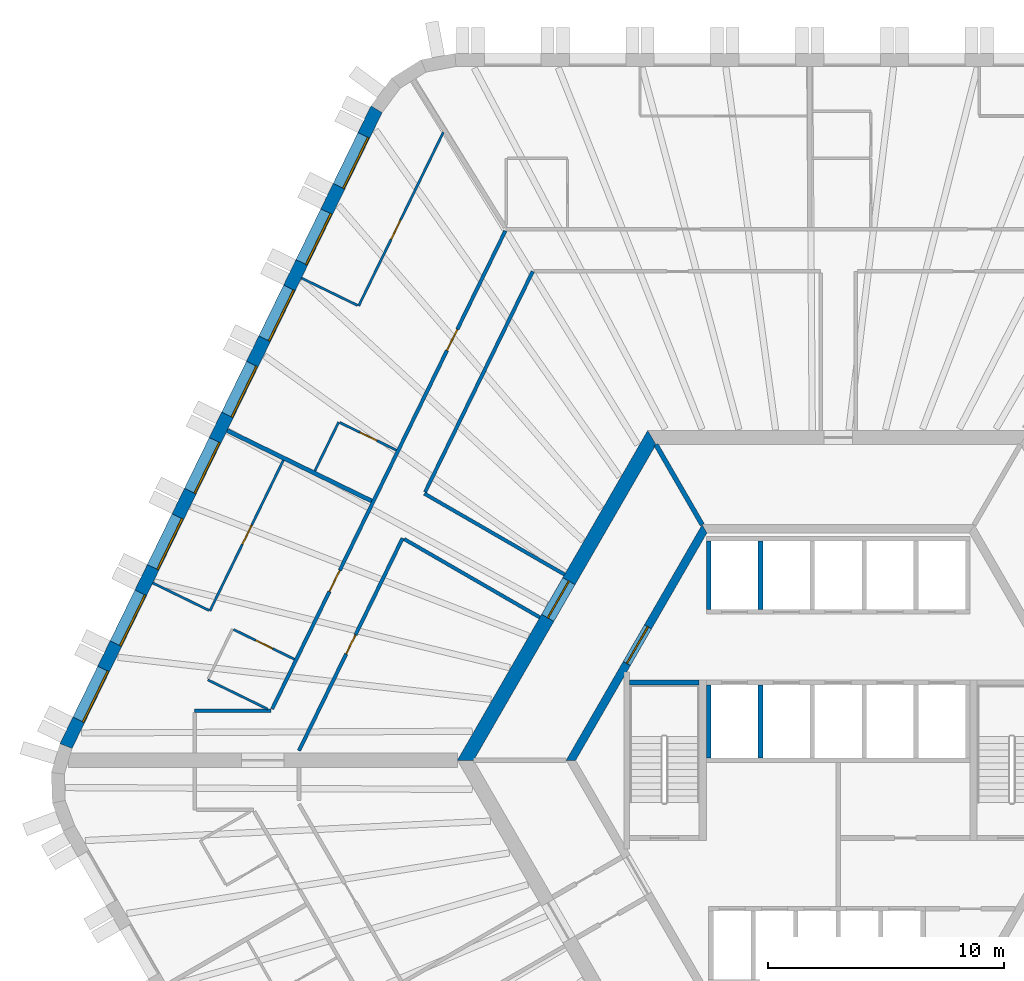
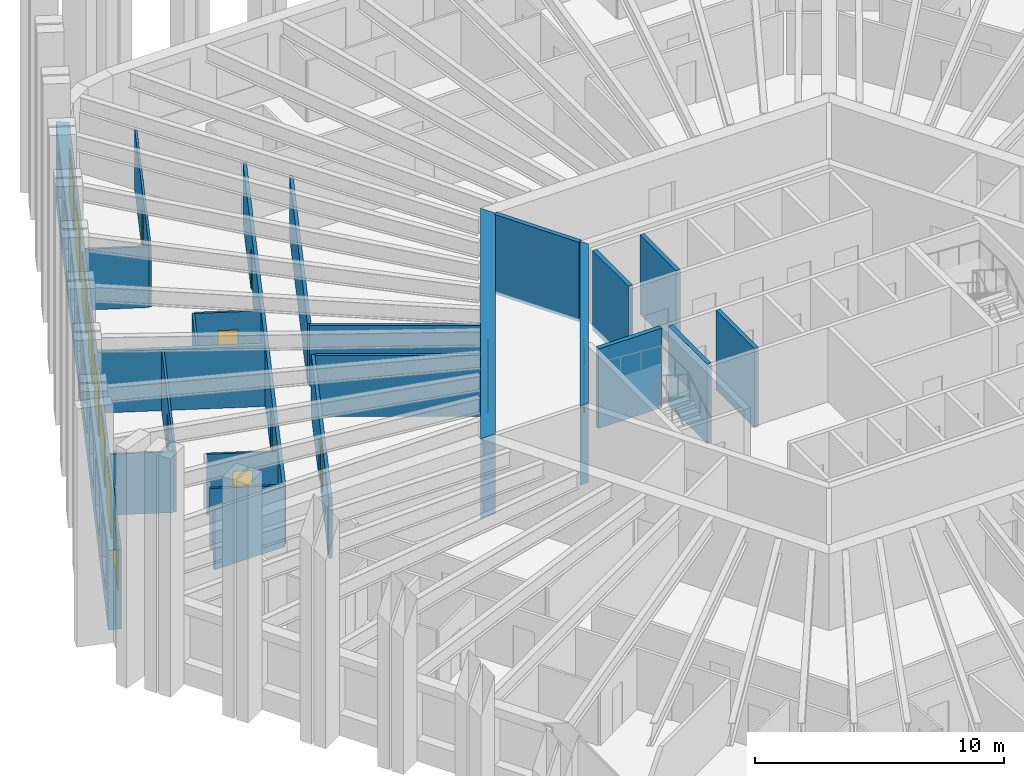
# One storey, part 7 of 12: 24 walls, 9 doors, 8 windows, 17 openings.
"""IFC4 building model written with IfcOpenShell, lengths in metres."""

from ifc_helpers import new_model, si_unit, direction, frame, frame_2d, origin, place, context, subcontext, project, spatial, polyline, rectangle, outline, extrude, material, layer, layer_set, type_object, element, fill, save


model = new_model("IFC4")

# Units and contexts
model_context = context("Model", 3, precision=1e-05, world=origin(), true_north=direction((0.0, 1.0)))
body_context = subcontext(model_context, "Body", "Model", "MODEL_VIEW")
ifc_project = project(units=[si_unit("LENGTHUNIT", "METRE"), si_unit("AREAUNIT", "SQUARE_METRE"), si_unit("VOLUMEUNIT", "CUBIC_METRE"), si_unit("PLANEANGLEUNIT", "RADIAN"), si_unit("MASSUNIT", "GRAM", prefix="KILO")], contexts=[model_context])

# Site, building, storey
site_placement = place(None, origin())
site = spatial("IfcSite", under=ifc_project, at=site_placement, CompositionType="ELEMENT")
building_placement = place(site_placement, origin())
building = spatial("IfcBuilding", under=site, at=building_placement, Name="Tarnside Tower", CompositionType="ELEMENT")
storey_placement = place(building_placement, frame((0.0, 0.0, 49.199951171875)))
storey = spatial("IfcBuildingStorey", under=building, at=storey_placement, Name="L09", CompositionType="ELEMENT", Elevation=49.199951171875)

# Wall
ifc_material_1 = material(Name="Gypsum board partition on steel studs", Category="steel")
ifc_layer_1 = layer(ifc_material_1, 0.10009765625)
ifc_layer_set_1 = layer_set([ifc_layer_1], Name="Bathroom wall 100")
wall_type_1 = type_object("IfcWallType", Name="Bathroom wall 100", PredefinedType="PARTITIONING", material=ifc_layer_set_1)
wall_1_placement = place(storey_placement, frame((-22.214111328125, 12.2822265625, 0.0), z_axis=(0.0, 0.0, 1.0), x_axis=(0.438398644313, 0.89878063434, 0.0)))
element("IfcWall", 1, at=wall_1_placement, inside=storey, type_object=wall_type_1, Name="Bathroom wall 02089", PredefinedType="PARTITIONING", context=body_context, shape_type="SweptSolid", body=[
    extrude(rectangle(XDim=2.31005859375, YDim=0.10009765625, at=frame_2d((1.155029296875, 0.0))), origin(), (0.0, 0.0, 1.0), 2.98779296875),
])

# Wall, opening, door
wall_2_placement = place(storey_placement, frame((-21.156494140625, 14.33642578125, 0.0), z_axis=(0.0, 0.0, 1.0), x_axis=(0.898800897694, -0.438357099068, 0.0)))
wall_2 = element("IfcWall", 2, at=wall_2_placement, inside=storey, type_object=wall_type_1, Name="Bathroom wall 02090", PredefinedType="PARTITIONING", context=body_context, shape_type="SweptSolid", body=[
    extrude(rectangle(XDim=2.675048828125, YDim=0.10009765625, at=frame_2d((1.33740234375, 0.0))), origin(), (0.0, 0.0, 1.0), 2.98779296875),
])
opening_1_placement = place(wall_2_placement, frame((0.949951171875, 0.0, 0.0)))
opening_1 = element("IfcOpeningElement", 3, at=opening_1_placement, cuts=wall_2, Name="Opening D-B1", PredefinedType="OPENING", context=body_context, shape_type="SweptSolid", body=[
    extrude(rectangle(XDim=0.800048828125, YDim=2.10009765625, at=frame_2d((0.39990234375, 1.050048828125))), frame((0.0, 0.06005859375, 0.0), z_axis=(0.0, -1.0, 0.0), x_axis=(1.0, 0.0, 0.0)), (0.0, 0.0, 1.0), 0.1201171875),
])
ifc_material_2 = material(Name="Timber door leaf", Category="wood")
door_type_1 = type_object("IfcDoorType", Name="Bathroom door 800", OperationType="NOTDEFINED", PredefinedType="DOOR", material=ifc_material_2)
door_1_placement = place(opening_1_placement, origin())
door_1 = element("IfcDoor", 4, at=door_1_placement, inside=storey, type_object=door_type_1, Name="Bathroom door 02009", OperationType="SINGLE_SWING_LEFT", OverallHeight=2.10009765625, OverallWidth=0.800048828125, PredefinedType="DOOR", context=body_context, shape_type="SweptSolid", body=[
    extrude(rectangle(XDim=0.800048828125, YDim=2.10009765625, at=frame_2d((0.39990234375, 1.050048828125))), frame((0.0, 0.02490234375, 0.0), z_axis=(0.0, -1.0, 0.0), x_axis=(1.0, 0.0, 0.0)), (0.0, 0.0, 1.0), 0.050048828125),
])
fill(opening_1, door_1)

# Wall
wall_3_placement = place(storey_placement, frame((-24.21875, 2.175048828125, 0.0), z_axis=(0.0, 0.0, 1.0), x_axis=(-0.898802451516, 0.438353913122, 0.0)))
element("IfcWall", 5, at=wall_3_placement, inside=storey, type_object=wall_type_1, Name="Bathroom wall 02096", PredefinedType="PARTITIONING", context=body_context, shape_type="SweptSolid", body=[
    extrude(rectangle(XDim=2.828857421875, YDim=0.10009765625, at=frame_2d((1.41455078125, 0.0))), origin(), (0.0, 0.0, 1.0), 2.98779296875),
])

# Wall, opening, door
wall_4_placement = place(storey_placement, frame((-25.664306640625, 5.55029296875, 0.0), z_axis=(0.0, 0.0, 1.0), x_axis=(0.898799457159, -0.438360052708, 0.0)))
wall_4 = element("IfcWall", 6, at=wall_4_placement, inside=storey, type_object=wall_type_1, Name="Bathroom wall 02098", PredefinedType="PARTITIONING", context=body_context, shape_type="SweptSolid", body=[
    extrude(rectangle(XDim=2.875, YDim=0.10009765625, at=frame_2d((1.4375, 0.0))), origin(), (0.0, 0.0, 1.0), 2.98779296875),
])
opening_2_placement = place(wall_4_placement, frame((1.050048828125, 0.0, 0.0)))
opening_2 = element("IfcOpeningElement", 7, at=opening_2_placement, cuts=wall_4, Name="Opening D-B1", PredefinedType="OPENING", context=body_context, shape_type="SweptSolid", body=[
    extrude(rectangle(XDim=0.800048828125, YDim=2.10009765625, at=frame_2d((0.39990234375, 1.050048828125))), frame((0.0, 0.06005859375, 0.0), z_axis=(0.0, -1.0, 0.0), x_axis=(1.0, 0.0, 0.0)), (0.0, 0.0, 1.0), 0.1201171875),
])
door_2_placement = place(opening_2_placement, origin())
door_2 = element("IfcDoor", 8, at=door_2_placement, inside=storey, type_object=door_type_1, Name="Bathroom door 02012", OperationType="SINGLE_SWING_LEFT", OverallHeight=2.10009765625, OverallWidth=0.800048828125, PredefinedType="DOOR", context=body_context, shape_type="SweptSolid", body=[
    extrude(rectangle(XDim=0.800048828125, YDim=2.10009765625, at=frame_2d((0.39990234375, 1.050048828125))), frame((0.0, 0.02490234375, 0.0), z_axis=(0.0, -1.0, 0.0), x_axis=(1.0, 0.0, 0.0)), (0.0, 0.0, 1.0), 0.050048828125),
])
fill(opening_2, door_2)

ifc_material_3 = material(Name="Concrete C50/60", Category="concrete")
ifc_layer_2 = layer(ifc_material_3, 0.35009765625)
ifc_layer_set_2 = layer_set([ifc_layer_2], Name="Core block wall 350 C50/60")
wall_type_2 = type_object("IfcWallType", Name="Core block wall 350 C50/60", PredefinedType="SHEAR", material=ifc_layer_set_2)
wall_5_placement = place(storey_placement, frame((-5.672607421875, 9.824951171875, -0.14990234375), z_axis=(0.0, 0.0, 1.0), x_axis=(-0.499995046907, -0.866028263435, 0.0)))
wall_5 = element("IfcWall", 9, at=wall_5_placement, inside=storey, type_object=wall_type_2, Name="L09 core block wall face 2", PredefinedType="SHEAR", context=body_context, shape_type="SweptSolid", body=[
    extrude(outline(polyline([(-0.10107421875, -0.175048828125), (11.44580078125, -0.175048828125), (11.24365234375, 0.175048828125), (0.10107421875, 0.175048828125), (-0.10107421875, -0.175048828125)])), origin(), (0.0, 0.0, 1.0), 3.89990234375),
])
opening_3_placement = place(wall_5_placement, frame((4.80126953125, 0.0, 0.14990234375)))
opening_3 = element("IfcOpeningElement", 10, at=opening_3_placement, cuts=wall_5, Name="Opening CD-LOB", PredefinedType="OPENING", context=body_context, shape_type="SweptSolid", body=[
    extrude(rectangle(XDim=1.800048828125, YDim=2.39990234375, at=frame_2d((0.89990234375, 1.199951171875))), frame((0.0, 0.18505859375, 0.0), z_axis=(0.0, -1.0, 0.0), x_axis=(1.0, 0.0, 0.0)), (0.0, 0.0, 1.0), 0.3701171875),
])
ifc_material_4 = material(Name="Steel fire door", Category="steel")
door_type_2 = type_object("IfcDoorType", Name="Lobby double door FD30S 1800x2400", OperationType="NOTDEFINED", PredefinedType="DOOR", material=ifc_material_4)
door_3_placement = place(opening_3_placement, origin())
door_3 = element("IfcDoor", 11, at=door_3_placement, inside=storey, type_object=door_type_2, Name="L09 lobby block door P1", OperationType="DOUBLE_DOOR_SINGLE_SWING", OverallHeight=2.39990234375, OverallWidth=1.800048828125, PredefinedType="DOOR", context=body_context, shape_type="SweptSolid", body=[
    extrude(rectangle(XDim=1.800048828125, YDim=2.39990234375, at=frame_2d((0.89990234375, 1.199951171875))), frame((0.0, 0.02490234375, 0.0), z_axis=(0.0, -1.0, 0.0), x_axis=(1.0, 0.0, 0.0)), (0.0, 0.0, 1.0), 0.050048828125),
])
fill(opening_3, door_3)

ifc_material_5 = material(Name="Concrete C80/95", Category="concrete")
ifc_layer_3 = layer(ifc_material_5, 0.60009765625)
ifc_layer_set_3 = layer_set([ifc_layer_3], Name="Core wall Z1 600 C80/95")
wall_type_3 = type_object("IfcWallType", Name="Core wall Z1 600 C80/95", PredefinedType="SHEAR", material=ifc_layer_set_3)
wall_6_placement = place(storey_placement, frame((-7.90966796875, 13.699951171875, -0.14990234375), z_axis=(0.0, 0.0, 1.0), x_axis=(-0.499999880136, -0.866025472988, 0.0)))
wall_6 = element("IfcWall", 12, at=wall_6_placement, inside=storey, type_object=wall_type_3, Name="L09 core wall face 2", PredefinedType="SHEAR", context=body_context, shape_type="SweptSolid", body=[
    extrude(outline(polyline([(-0.17333984375, -0.300048828125), (15.99267578125, -0.300048828125), (15.64599609375, 0.300048828125), (0.17333984375, 0.300048828125), (-0.17333984375, -0.300048828125)])), origin(), (0.0, 0.0, 1.0), 3.89990234375),
])
opening_4_placement = place(wall_6_placement, frame((7.03857421875, 0.0, 0.14990234375)))
opening_4 = element("IfcOpeningElement", 13, at=opening_4_placement, cuts=wall_6, Name="Opening CD-LOB", PredefinedType="OPENING", context=body_context, shape_type="SweptSolid", body=[
    extrude(rectangle(XDim=1.800048828125, YDim=2.39990234375, at=frame_2d((0.89990234375, 1.199951171875))), frame((0.0, 0.31005859375, 0.0), z_axis=(0.0, -1.0, 0.0), x_axis=(1.0, 0.0, 0.0)), (0.0, 0.0, 1.0), 0.6201171875),
])
door_4_placement = place(opening_4_placement, origin())
door_4 = element("IfcDoor", 14, at=door_4_placement, inside=storey, type_object=door_type_2, Name="L09 core door P1", OperationType="DOUBLE_DOOR_SINGLE_SWING", OverallHeight=2.39990234375, OverallWidth=1.800048828125, PredefinedType="DOOR", context=body_context, shape_type="SweptSolid", body=[
    extrude(rectangle(XDim=1.800048828125, YDim=2.39990234375, at=frame_2d((0.89990234375, 1.199951171875))), frame((0.0, 0.02490234375, 0.0), z_axis=(0.0, -1.0, 0.0), x_axis=(1.0, 0.0, 0.0)), (0.0, 0.0, 1.0), 0.050048828125),
])
fill(opening_4, door_4)

# Wall, openings, doors
ifc_layer_4 = layer(ifc_material_1, 0.14990234375)
ifc_layer_set_4 = layer_set([ifc_layer_4], Name="Corridor wall 150 EI 60")
wall_type_4 = type_object("IfcWallType", Name="Corridor wall 150 EI 60", PredefinedType="PARTITIONING", material=ifc_layer_set_4)
wall_7_placement = place(storey_placement, frame((-14.12744140625, 22.47509765625, 0.0), z_axis=(0.0, 0.0, 1.0), x_axis=(-0.438366981459, -0.898796077855, 0.0)))
wall_7 = element("IfcWall", 15, at=wall_7_placement, inside=storey, type_object=wall_type_4, Name="Corridor wall 02007", PredefinedType="PARTITIONING", context=body_context, shape_type="SweptSolid", body=[
    extrude(rectangle(XDim=22.5859375, YDim=0.14990234375, at=frame_2d((11.29296875, 0.0))), origin(), (0.0, 0.0, 1.0), 2.98779296875),
])
opening_5_placement = place(wall_7_placement, frame((4.656494140625, 0.0, 0.0)))
opening_5 = element("IfcOpeningElement", 16, at=opening_5_placement, cuts=wall_7, Name="Opening D-E1", PredefinedType="OPENING", context=body_context, shape_type="SweptSolid", body=[
    extrude(rectangle(XDim=1.0, YDim=2.10009765625, at=frame_2d((0.5, 1.050048828125))), frame((0.0, 0.0849609375, 0.0), z_axis=(0.0, -1.0, 0.0), x_axis=(1.0, 0.0, 0.0)), (0.0, 0.0, 1.0), 0.169921875),
])
opening_6_placement = place(wall_7_placement, frame((16.03271484375, 0.0, 0.0)))
opening_6 = element("IfcOpeningElement", 17, at=opening_6_placement, cuts=wall_7, Name="Opening D-E1", PredefinedType="OPENING", context=body_context, shape_type="SweptSolid", body=[
    extrude(rectangle(XDim=1.0, YDim=2.10009765625, at=frame_2d((0.5, 1.050048828125))), frame((0.0, 0.0849609375, 0.0), z_axis=(0.0, -1.0, 0.0), x_axis=(1.0, 0.0, 0.0)), (0.0, 0.0, 1.0), 0.169921875),
])
door_type_3 = type_object("IfcDoorType", Name="Unit entrance door 1000 FD30S", OperationType="NOTDEFINED", PredefinedType="DOOR", material=ifc_material_2)
door_5_placement = place(opening_5_placement, origin())
door_5 = element("IfcDoor", 18, at=door_5_placement, inside=storey, type_object=door_type_3, Name="Unit door 02008", OperationType="SINGLE_SWING_RIGHT", OverallHeight=2.10009765625, OverallWidth=1.0, PredefinedType="DOOR", context=body_context, shape_type="SweptSolid", body=[
    extrude(rectangle(XDim=1.0, YDim=2.10009765625, at=frame_2d((0.5, 1.050048828125))), frame((0.0, 0.02490234375, 0.0), z_axis=(0.0, -1.0, 0.0), x_axis=(1.0, 0.0, 0.0)), (0.0, 0.0, 1.0), 0.050048828125),
])
fill(opening_5, door_5)
door_6_placement = place(opening_6_placement, origin())
door_6 = element("IfcDoor", 19, at=door_6_placement, inside=storey, type_object=door_type_3, Name="Unit door 02011", OperationType="SINGLE_SWING_RIGHT", OverallHeight=2.10009765625, OverallWidth=1.0, PredefinedType="DOOR", context=body_context, shape_type="SweptSolid", body=[
    extrude(rectangle(XDim=1.0, YDim=2.10009765625, at=frame_2d((0.5, 1.050048828125))), frame((0.0, 0.02490234375, 0.0), z_axis=(0.0, -1.0, 0.0), x_axis=(1.0, 0.0, 0.0)), (0.0, 0.0, 1.0), 0.050048828125),
])
fill(opening_6, door_6)

# Walls
wall_8_placement = place(storey_placement, frame((-24.06494140625, 2.10009765625, 0.0), z_axis=(0.0, 0.0, 1.0), x_axis=(-1.0, 0.0, 0.0)))
element("IfcWall", 20, at=wall_8_placement, inside=storey, type_object=wall_type_4, Name="Corridor wall 02009", PredefinedType="PARTITIONING", context=body_context, shape_type="SweptSolid", body=[
    extrude(rectangle(XDim=3.25537109375, YDim=0.14990234375, at=frame_2d((1.627685546875, 0.0))), origin(), (0.0, 0.0, 1.0), 2.98779296875),
])
wall_9_placement = place(storey_placement, frame((-11.61376953125, 7.88427734375, 0.0), z_axis=(0.0, 0.0, 1.0), x_axis=(-0.866026442345, 0.499998201156, 0.0)))
element("IfcWall", 21, at=wall_9_placement, inside=storey, type_object=wall_type_4, Name="Corridor wall 02013", PredefinedType="PARTITIONING", context=body_context, shape_type="SweptSolid", body=[
    extrude(rectangle(XDim=6.8720703125, YDim=0.14990234375, at=frame_2d((3.43603515625, 0.0))), origin(), (0.0, 0.0, 1.0), 2.98779296875),
])
wall_10_placement = place(storey_placement, frame((-17.5322265625, 11.387939453125, 0.0), z_axis=(0.0, 0.0, 1.0), x_axis=(0.438369602246, 0.898794799622, 0.0)))
element("IfcWall", 22, at=wall_10_placement, inside=storey, type_object=wall_type_4, Name="Corridor wall 02014", PredefinedType="PARTITIONING", context=body_context, shape_type="SweptSolid", body=[
    extrude(rectangle(XDim=10.416259765625, YDim=0.14990234375, at=frame_2d((5.2080078125, 0.0))), origin(), (0.0, 0.0, 1.0), 2.98779296875),
])

# Wall, opening, door
wall_11_placement = place(storey_placement, frame((-22.886474609375, 0.41015625, 0.0), z_axis=(0.0, 0.0, 1.0), x_axis=(0.438373773754, 0.898792765038, 0.0)))
wall_11 = element("IfcWall", 23, at=wall_11_placement, inside=storey, type_object=wall_type_4, Name="Corridor wall 02020", PredefinedType="PARTITIONING", context=body_context, shape_type="SweptSolid", body=[
    extrude(rectangle(XDim=10.033447265625, YDim=0.14990234375, at=frame_2d((5.0166015625, 0.0))), origin(), (0.0, 0.0, 1.0), 2.98779296875),
])
opening_7_placement = place(wall_11_placement, frame((4.56689453125, 0.0, 0.0)))
opening_7 = element("IfcOpeningElement", 24, at=opening_7_placement, cuts=wall_11, Name="Opening D-S1", PredefinedType="OPENING", context=body_context, shape_type="SweptSolid", body=[
    extrude(rectangle(XDim=0.89990234375, YDim=2.10009765625, at=frame_2d((0.449951171875, 1.050048828125))), frame((0.0, 0.0849609375, 0.0), z_axis=(0.0, -1.0, 0.0), x_axis=(1.0, 0.0, 0.0)), (0.0, 0.0, 1.0), 0.169921875),
])
door_type_4 = type_object("IfcDoorType", Name="Service room door 900 FD30S", OperationType="NOTDEFINED", PredefinedType="DOOR", material=ifc_material_2)
door_7_placement = place(opening_7_placement, origin())
door_7 = element("IfcDoor", 25, at=door_7_placement, inside=storey, type_object=door_type_4, Name="Service door 02043", OperationType="SINGLE_SWING_RIGHT", OverallHeight=2.10009765625, OverallWidth=0.89990234375, PredefinedType="DOOR", context=body_context, shape_type="SweptSolid", body=[
    extrude(rectangle(XDim=0.89990234375, YDim=2.10009765625, at=frame_2d((0.449951171875, 1.050048828125))), frame((0.0, 0.02490234375, 0.0), z_axis=(0.0, -1.0, 0.0), x_axis=(1.0, 0.0, 0.0)), (0.0, 0.0, 1.0), 0.050048828125),
])
fill(opening_7, door_7)

# Walls
wall_12_placement = place(storey_placement, frame((-18.4228515625, 9.390625, 0.0), z_axis=(0.0, 0.0, 1.0), x_axis=(0.866027239912, -0.49999681972, 0.0)))
element("IfcWall", 26, at=wall_12_placement, inside=storey, type_object=wall_type_4, Name="Corridor wall 02021", PredefinedType="PARTITIONING", context=body_context, shape_type="SweptSolid", body=[
    extrude(rectangle(XDim=6.64990234375, YDim=0.14990234375, at=frame_2d((3.324951171875, 0.0))), origin(), (0.0, 0.0, 1.0), 2.98779296875),
])
ifc_layer_5 = layer(ifc_material_1, 0.179931640625)
ifc_layer_set_5 = layer_set([ifc_layer_5], Name="Demising wall 180 EI 60")
wall_type_5 = type_object("IfcWallType", Name="Demising wall 180 EI 60", PredefinedType="PARTITIONING", material=ifc_layer_set_5)
wall_13_placement = place(storey_placement, frame((-25.9384765625, 13.99853515625, 0.0), z_axis=(0.0, 0.0, 1.0), x_axis=(0.898790790823, -0.438377821441, 0.0)))
element("IfcWall", 27, at=wall_13_placement, inside=storey, type_object=wall_type_5, Name="Demising wall 02093", PredefinedType="PARTITIONING", context=body_context, shape_type="SweptSolid", body=[
    extrude(rectangle(XDim=6.824951171875, YDim=0.179931640625, at=frame_2d((3.41259765625, 0.0))), origin(), (0.0, 0.0, 1.0), 2.98779296875),
])
ifc_material_6 = material(Name="Concrete C40/50", Category="concrete")
ifc_layer_6 = layer(ifc_material_6, 0.199951171875)
ifc_layer_set_6 = layer_set([ifc_layer_6], Name="Lift shaft wall 200 C40/50")
wall_type_6 = type_object("IfcWallType", Name="Lift shaft wall 200 C40/50", PredefinedType="SHEAR", material=ifc_layer_set_6)
for number, where, z_axis, x_axis, name in (
    (28, (-5.5, 6.39990234375, -0.25), (0.0, 0.0, 1.0), (0.0, 1.0, 0.0), "L09 lift shaft partition R11"),
    (29, (-3.300048828125, 6.39990234375, -0.25), (0.0, 0.0, 1.0), (0.0, 1.0, 0.0), "L09 lift shaft partition R12"),
):
    element("IfcWall", number, at=place(storey_placement, frame(where, z_axis=z_axis, x_axis=x_axis)), inside=storey, type_object=wall_type_6, Name=name, PredefinedType="SHEAR", context=body_context, shape_type="SweptSolid", body=[
        extrude(rectangle(XDim=2.900146484375, YDim=0.199951171875, at=frame_2d((1.4501953125, 0.0))), origin(), (0.0, 0.0, 1.0), 3.900146484375),
    ])
for number, where, z_axis, x_axis, name in (
    (30, (-5.5, 0.10009765625, -0.25), (0.0, 0.0, 1.0), (0.0, 1.0, 0.0), "L09 lift shaft partition R21"),
    (31, (-3.300048828125, 0.10009765625, -0.25), (0.0, 0.0, 1.0), (0.0, 1.0, 0.0), "L09 lift shaft partition R22"),
):
    element("IfcWall", number, at=place(storey_placement, frame(where, z_axis=z_axis, x_axis=x_axis)), inside=storey, type_object=wall_type_6, Name=name, PredefinedType="SHEAR", context=body_context, shape_type="SweptSolid", body=[
        extrude(rectangle(XDim=3.099853515625, YDim=0.199951171875, at=frame_2d((1.5498046875, 0.0))), origin(), (0.0, 0.0, 1.0), 3.900146484375),
    ])
wall_14_placement = place(storey_placement, frame((-5.7734375, 10.0, -0.14990234375), z_axis=(0.0, 0.0, 1.0), x_axis=(-0.500038251005, 0.86600331843, 0.0)))
element("IfcWall", 32, at=wall_14_placement, inside=storey, type_object=wall_type_6, Name="L09 core partition AR120", PredefinedType="SHEAR", context=body_context, shape_type="SweptSolid", body=[
    extrude(rectangle(XDim=3.926025390625, YDim=0.199951171875, at=frame_2d((1.962890625, 0.0))), origin(), (0.0, 0.0, 1.0), 3.89990234375),
])
wall_15_placement = place(storey_placement, frame((-8.85009765625, 3.300048828125, -0.25), z_axis=(0.0, 0.0, 1.0), x_axis=(1.0, 0.0, 0.0)))
element("IfcWall", 33, at=wall_15_placement, inside=storey, type_object=wall_type_6, Name="L09 stair 2 enclosure cap wall n", PredefinedType="SHEAR", context=body_context, shape_type="SweptSolid", body=[
    extrude(rectangle(XDim=2.9501953125, YDim=0.199951171875, at=frame_2d((1.47509765625, 0.0))), origin(), (0.0, 0.0, 1.0), 3.900146484375),
])

# Wall, opening, door
ifc_layer_7 = layer(ifc_material_1, 0.10009765625)
ifc_layer_set_7 = layer_set([ifc_layer_7], Name="Partition 100")
wall_type_7 = type_object("IfcWallType", Name="Partition 100", PredefinedType="PARTITIONING", material=ifc_layer_set_7)
wall_16_placement = place(storey_placement, frame((-16.76171875, 26.654541015625, 0.0), z_axis=(0.0, 0.0, 1.0), x_axis=(-0.438376691605, -0.898791341891, 0.0)))
wall_16 = element("IfcWall", 34, at=wall_16_placement, inside=storey, type_object=wall_type_7, Name="Partition wall 02091", PredefinedType="PARTITIONING", context=body_context, shape_type="SweptSolid", body=[
    extrude(rectangle(XDim=8.19775390625, YDim=0.10009765625, at=frame_2d((4.098876953125, 0.0))), origin(), (0.0, 0.0, 1.0), 2.98779296875),
])
opening_8_placement = place(wall_16_placement, frame((4.14794921875, 0.0, 0.0)))
opening_8 = element("IfcOpeningElement", 35, at=opening_8_placement, cuts=wall_16, Name="Opening D-I1", PredefinedType="OPENING", context=body_context, shape_type="SweptSolid", body=[
    extrude(rectangle(XDim=0.89990234375, YDim=2.10009765625, at=frame_2d((0.449951171875, 1.050048828125))), frame((0.0, 0.06005859375, 0.0), z_axis=(0.0, -1.0, 0.0), x_axis=(1.0, 0.0, 0.0)), (0.0, 0.0, 1.0), 0.1201171875),
])
door_type_5 = type_object("IfcDoorType", Name="Internal door 900", OperationType="NOTDEFINED", PredefinedType="DOOR", material=ifc_material_2)
door_8_placement = place(opening_8_placement, origin())
door_8 = element("IfcDoor", 36, at=door_8_placement, inside=storey, type_object=door_type_5, Name="Internal door 02010", OperationType="SINGLE_SWING_LEFT", OverallHeight=2.10009765625, OverallWidth=0.89990234375, PredefinedType="DOOR", context=body_context, shape_type="SweptSolid", body=[
    extrude(rectangle(XDim=0.89990234375, YDim=2.10009765625, at=frame_2d((0.449951171875, 1.050048828125))), frame((0.0, 0.02490234375, 0.0), z_axis=(0.0, -1.0, 0.0), x_axis=(1.0, 0.0, 0.0)), (0.0, 0.0, 1.0), 0.050048828125),
])
fill(opening_8, door_8)

# Wall
wall_17_placement = place(storey_placement, frame((-20.400390625, 19.30810546875, 0.0), z_axis=(0.0, 0.0, 1.0), x_axis=(-0.898769331032, 0.438421816972, 0.0)))
element("IfcWall", 37, at=wall_17_placement, inside=storey, type_object=wall_type_7, Name="Partition wall 02092", PredefinedType="PARTITIONING", context=body_context, shape_type="SweptSolid", body=[
    extrude(rectangle(XDim=2.650146484375, YDim=0.10009765625, at=frame_2d((1.3251953125, 0.0))), origin(), (0.0, 0.0, 1.0), 2.98779296875),
])

# Wall, opening, door
wall_18_placement = place(storey_placement, frame((-23.55126953125, 12.734130859375, 0.0), z_axis=(0.0, 0.0, 1.0), x_axis=(-0.438387776054, -0.898785935475, 0.0)))
wall_18 = element("IfcWall", 38, at=wall_18_placement, inside=storey, type_object=wall_type_7, Name="Partition wall 02099", PredefinedType="PARTITIONING", context=body_context, shape_type="SweptSolid", body=[
    extrude(rectangle(XDim=7.110107421875, YDim=0.10009765625, at=frame_2d((3.55517578125, 0.0))), origin(), (0.0, 0.0, 1.0), 2.98779296875),
])
opening_9_placement = place(wall_18_placement, frame((3.06005859375, 0.0, 0.0)))
opening_9 = element("IfcOpeningElement", 39, at=opening_9_placement, cuts=wall_18, Name="Opening D-I1", PredefinedType="OPENING", context=body_context, shape_type="SweptSolid", body=[
    extrude(rectangle(XDim=0.89990234375, YDim=2.10009765625, at=frame_2d((0.449951171875, 1.050048828125))), frame((0.0, 0.06005859375, 0.0), z_axis=(0.0, -1.0, 0.0), x_axis=(1.0, 0.0, 0.0)), (0.0, 0.0, 1.0), 0.1201171875),
])
door_9_placement = place(opening_9_placement, origin())
door_9 = element("IfcDoor", 40, at=door_9_placement, inside=storey, type_object=door_type_5, Name="Internal door 02013", OperationType="SINGLE_SWING_RIGHT", OverallHeight=2.10009765625, OverallWidth=0.89990234375, PredefinedType="DOOR", context=body_context, shape_type="SweptSolid", body=[
    extrude(rectangle(XDim=0.89990234375, YDim=2.10009765625, at=frame_2d((0.449951171875, 1.050048828125))), frame((0.0, 0.02490234375, 0.0), z_axis=(0.0, -1.0, 0.0), x_axis=(1.0, 0.0, 0.0)), (0.0, 0.0, 1.0), 0.050048828125),
])
fill(opening_9, door_9)

# Wall
wall_19_placement = place(storey_placement, frame((-26.713134765625, 6.365478515625, 0.0), z_axis=(0.0, 0.0, 1.0), x_axis=(-0.898751621189, 0.438458120475, 0.0)))
element("IfcWall", 41, at=wall_19_placement, inside=storey, type_object=wall_type_7, Name="Partition wall 02100", PredefinedType="PARTITIONING", context=body_context, shape_type="SweptSolid", body=[
    extrude(rectangle(XDim=2.64990234375, YDim=0.10009765625, at=frame_2d((1.324951171875, 0.0))), origin(), (0.0, 0.0, 1.0), 2.98779296875),
])

# Wall, openings, windows
ifc_material_7 = material(Name="Facing brick", Category="masonry")
ifc_layer_8 = layer(ifc_material_7, 0.10205078125)
ifc_material_8 = material(Name="Concrete C60/75 precast", Category="concrete")
ifc_layer_9 = layer(ifc_material_8, 0.347900390625)
ifc_material_9 = material(Name="Mineral wool insulation")
ifc_layer_10 = layer(ifc_material_9, 0.10009765625)
ifc_layer_set_8 = layer_set([ifc_layer_8, ifc_layer_9, ifc_layer_10], Name="Tube wall 550 brick faced")
wall_type_8 = type_object("IfcWallType", Name="Tube wall 550 brick faced", PredefinedType="SOLIDWALL", material=ifc_layer_set_8)
wall_20_placement = place(storey_placement, frame((-19.5947265625, 27.6328125, -0.14990234375), z_axis=(0.0, 0.0, 1.0), x_axis=(-0.438368285794, -0.898795441694, 0.0)))
wall_20 = element("IfcWall", 42, at=wall_20_placement, inside=storey, type_object=wall_type_8, Name="Tube wall L09 F2 flush 04", PredefinedType="SOLIDWALL", context=body_context, shape_type="SweptSolid", body=[
    extrude(outline(polyline([(-0.025634765625, -0.27490234375), (30.09326171875, -0.27490234375), (30.04833984375, 0.27490234375), (0.025634765625, 0.27490234375), (-0.025634765625, -0.27490234375)])), origin(), (0.0, 0.0, 1.0), 3.89990234375),
])
opening_10_placement = place(wall_20_placement, frame((1.235595703125, 0.0, 1.050048828125)))
opening_10 = element("IfcOpeningElement", 43, at=opening_10_placement, cuts=wall_20, Name="Opening WH", PredefinedType="OPENING", context=body_context, shape_type="SweptSolid", body=[
    extrude(rectangle(XDim=2.39990234375, YDim=2.39990234375, at=frame_2d((1.199951171875, 1.199951171875))), frame((0.0, 0.28515625, 0.0), z_axis=(0.0, -1.0, 0.0), x_axis=(1.0, 0.0, 0.0)), (0.0, 0.0, 1.0), 0.570068359375),
])
opening_11_placement = place(wall_20_placement, frame((4.83544921875, 0.0, 1.050048828125)))
opening_11 = element("IfcOpeningElement", 44, at=opening_11_placement, cuts=wall_20, Name="Opening WH", PredefinedType="OPENING", context=body_context, shape_type="SweptSolid", body=[
    extrude(rectangle(XDim=2.39990234375, YDim=2.39990234375, at=frame_2d((1.199951171875, 1.199951171875))), frame((0.0, 0.28515625, 0.0), z_axis=(0.0, -1.0, 0.0), x_axis=(1.0, 0.0, 0.0)), (0.0, 0.0, 1.0), 0.570068359375),
])
opening_12_placement = place(wall_20_placement, frame((8.435546875, 0.0, 1.050048828125)))
opening_12 = element("IfcOpeningElement", 45, at=opening_12_placement, cuts=wall_20, Name="Opening WH", PredefinedType="OPENING", context=body_context, shape_type="SweptSolid", body=[
    extrude(rectangle(XDim=2.39990234375, YDim=2.39990234375, at=frame_2d((1.199951171875, 1.199951171875))), frame((0.0, 0.28515625, 0.0), z_axis=(0.0, -1.0, 0.0), x_axis=(1.0, 0.0, 0.0)), (0.0, 0.0, 1.0), 0.570068359375),
])
opening_13_placement = place(wall_20_placement, frame((12.035400390625, 0.0, 1.050048828125)))
opening_13 = element("IfcOpeningElement", 46, at=opening_13_placement, cuts=wall_20, Name="Opening WH", PredefinedType="OPENING", context=body_context, shape_type="SweptSolid", body=[
    extrude(rectangle(XDim=2.39990234375, YDim=2.39990234375, at=frame_2d((1.199951171875, 1.199951171875))), frame((0.0, 0.28515625, 0.0), z_axis=(0.0, -1.0, 0.0), x_axis=(1.0, 0.0, 0.0)), (0.0, 0.0, 1.0), 0.570068359375),
])
opening_14_placement = place(wall_20_placement, frame((15.635498046875, 0.0, 1.050048828125)))
opening_14 = element("IfcOpeningElement", 47, at=opening_14_placement, cuts=wall_20, Name="Opening WH", PredefinedType="OPENING", context=body_context, shape_type="SweptSolid", body=[
    extrude(rectangle(XDim=2.39990234375, YDim=2.39990234375, at=frame_2d((1.199951171875, 1.199951171875))), frame((0.0, 0.28515625, 0.0), z_axis=(0.0, -1.0, 0.0), x_axis=(1.0, 0.0, 0.0)), (0.0, 0.0, 1.0), 0.570068359375),
])
opening_15_placement = place(wall_20_placement, frame((19.235595703125, 0.0, 1.050048828125)))
opening_15 = element("IfcOpeningElement", 48, at=opening_15_placement, cuts=wall_20, Name="Opening WH", PredefinedType="OPENING", context=body_context, shape_type="SweptSolid", body=[
    extrude(rectangle(XDim=2.39990234375, YDim=2.39990234375, at=frame_2d((1.199951171875, 1.199951171875))), frame((0.0, 0.28515625, 0.0), z_axis=(0.0, -1.0, 0.0), x_axis=(1.0, 0.0, 0.0)), (0.0, 0.0, 1.0), 0.570068359375),
])
opening_16_placement = place(wall_20_placement, frame((22.83544921875, 0.0, 1.050048828125)))
opening_16 = element("IfcOpeningElement", 49, at=opening_16_placement, cuts=wall_20, Name="Opening WH", PredefinedType="OPENING", context=body_context, shape_type="SweptSolid", body=[
    extrude(rectangle(XDim=2.39990234375, YDim=2.39990234375, at=frame_2d((1.199951171875, 1.199951171875))), frame((0.0, 0.28515625, 0.0), z_axis=(0.0, -1.0, 0.0), x_axis=(1.0, 0.0, 0.0)), (0.0, 0.0, 1.0), 0.570068359375),
])
opening_17_placement = place(wall_20_placement, frame((26.435546875, 0.0, 1.050048828125)))
opening_17 = element("IfcOpeningElement", 50, at=opening_17_placement, cuts=wall_20, Name="Opening WH", PredefinedType="OPENING", context=body_context, shape_type="SweptSolid", body=[
    extrude(rectangle(XDim=2.39990234375, YDim=2.39990234375, at=frame_2d((1.199951171875, 1.199951171875))), frame((0.0, 0.28515625, 0.0), z_axis=(0.0, -1.0, 0.0), x_axis=(1.0, 0.0, 0.0)), (0.0, 0.0, 1.0), 0.570068359375),
])
ifc_material_10 = material(Name="Aluminium-framed double glazing", Category="aluminium")
window_type = type_object("IfcWindowType", Name="Hotel window 2400 x 2400", PartitioningType="DOUBLE_PANEL_VERTICAL", PredefinedType="WINDOW", material=ifc_material_10)
window_1_placement = place(opening_10_placement, frame((0.0, 0.205078125, 0.0)))
window_1 = element("IfcWindow", 51, at=window_1_placement, inside=storey, type_object=window_type, Name="E.WN.L09.F2.00", OverallHeight=2.39990234375, OverallWidth=2.39990234375, PartitioningType="DOUBLE_PANEL_VERTICAL", PredefinedType="WINDOW", context=body_context, shape_type="SweptSolid", body=[
    extrude(rectangle(XDim=2.39990234375, YDim=2.39990234375, at=frame_2d((1.199951171875, 1.199951171875))), frame((0.0, 0.030029296875, 0.0), z_axis=(0.0, -1.0, 0.0), x_axis=(1.0, 0.0, 0.0)), (0.0, 0.0, 1.0), 0.06005859375),
])
fill(opening_10, window_1)
window_2_placement = place(opening_11_placement, frame((0.0, 0.205078125, 0.0)))
window_2 = element("IfcWindow", 52, at=window_2_placement, inside=storey, type_object=window_type, Name="E.WN.L09.F2.01", OverallHeight=2.39990234375, OverallWidth=2.39990234375, PartitioningType="DOUBLE_PANEL_VERTICAL", PredefinedType="WINDOW", context=body_context, shape_type="SweptSolid", body=[
    extrude(rectangle(XDim=2.39990234375, YDim=2.39990234375, at=frame_2d((1.199951171875, 1.199951171875))), frame((0.0, 0.030029296875, 0.0), z_axis=(0.0, -1.0, 0.0), x_axis=(1.0, 0.0, 0.0)), (0.0, 0.0, 1.0), 0.06005859375),
])
fill(opening_11, window_2)
window_3_placement = place(opening_12_placement, frame((0.0, 0.205078125, 0.0)))
window_3 = element("IfcWindow", 53, at=window_3_placement, inside=storey, type_object=window_type, Name="E.WN.L09.F2.02", OverallHeight=2.39990234375, OverallWidth=2.39990234375, PartitioningType="DOUBLE_PANEL_VERTICAL", PredefinedType="WINDOW", context=body_context, shape_type="SweptSolid", body=[
    extrude(rectangle(XDim=2.39990234375, YDim=2.39990234375, at=frame_2d((1.199951171875, 1.199951171875))), frame((0.0, 0.030029296875, 0.0), z_axis=(0.0, -1.0, 0.0), x_axis=(1.0, 0.0, 0.0)), (0.0, 0.0, 1.0), 0.06005859375),
])
fill(opening_12, window_3)
window_4_placement = place(opening_13_placement, frame((0.0, 0.205078125, 0.0)))
window_4 = element("IfcWindow", 54, at=window_4_placement, inside=storey, type_object=window_type, Name="E.WN.L09.F2.03", OverallHeight=2.39990234375, OverallWidth=2.39990234375, PartitioningType="DOUBLE_PANEL_VERTICAL", PredefinedType="WINDOW", context=body_context, shape_type="SweptSolid", body=[
    extrude(rectangle(XDim=2.39990234375, YDim=2.39990234375, at=frame_2d((1.199951171875, 1.199951171875))), frame((0.0, 0.030029296875, 0.0), z_axis=(0.0, -1.0, 0.0), x_axis=(1.0, 0.0, 0.0)), (0.0, 0.0, 1.0), 0.06005859375),
])
fill(opening_13, window_4)
window_5_placement = place(opening_14_placement, frame((0.0, 0.205078125, 0.0)))
window_5 = element("IfcWindow", 55, at=window_5_placement, inside=storey, type_object=window_type, Name="E.WN.L09.F2.04", OverallHeight=2.39990234375, OverallWidth=2.39990234375, PartitioningType="DOUBLE_PANEL_VERTICAL", PredefinedType="WINDOW", context=body_context, shape_type="SweptSolid", body=[
    extrude(rectangle(XDim=2.39990234375, YDim=2.39990234375, at=frame_2d((1.199951171875, 1.199951171875))), frame((0.0, 0.030029296875, 0.0), z_axis=(0.0, -1.0, 0.0), x_axis=(1.0, 0.0, 0.0)), (0.0, 0.0, 1.0), 0.06005859375),
])
fill(opening_14, window_5)
window_6_placement = place(opening_15_placement, frame((0.0, 0.205078125, 0.0)))
window_6 = element("IfcWindow", 56, at=window_6_placement, inside=storey, type_object=window_type, Name="E.WN.L09.F2.05", OverallHeight=2.39990234375, OverallWidth=2.39990234375, PartitioningType="DOUBLE_PANEL_VERTICAL", PredefinedType="WINDOW", context=body_context, shape_type="SweptSolid", body=[
    extrude(rectangle(XDim=2.39990234375, YDim=2.39990234375, at=frame_2d((1.199951171875, 1.199951171875))), frame((0.0, 0.030029296875, 0.0), z_axis=(0.0, -1.0, 0.0), x_axis=(1.0, 0.0, 0.0)), (0.0, 0.0, 1.0), 0.06005859375),
])
fill(opening_15, window_6)
window_7_placement = place(opening_16_placement, frame((0.0, 0.205078125, 0.0)))
window_7 = element("IfcWindow", 57, at=window_7_placement, inside=storey, type_object=window_type, Name="E.WN.L09.F2.06", OverallHeight=2.39990234375, OverallWidth=2.39990234375, PartitioningType="DOUBLE_PANEL_VERTICAL", PredefinedType="WINDOW", context=body_context, shape_type="SweptSolid", body=[
    extrude(rectangle(XDim=2.39990234375, YDim=2.39990234375, at=frame_2d((1.199951171875, 1.199951171875))), frame((0.0, 0.030029296875, 0.0), z_axis=(0.0, -1.0, 0.0), x_axis=(1.0, 0.0, 0.0)), (0.0, 0.0, 1.0), 0.06005859375),
])
fill(opening_16, window_7)
window_8_placement = place(opening_17_placement, frame((0.0, 0.205078125, 0.0)))
window_8 = element("IfcWindow", 58, at=window_8_placement, inside=storey, type_object=window_type, Name="E.WN.L09.F2.07", OverallHeight=2.39990234375, OverallWidth=2.39990234375, PartitioningType="DOUBLE_PANEL_VERTICAL", PredefinedType="WINDOW", context=body_context, shape_type="SweptSolid", body=[
    extrude(rectangle(XDim=2.39990234375, YDim=2.39990234375, at=frame_2d((1.199951171875, 1.199951171875))), frame((0.0, 0.030029296875, 0.0), z_axis=(0.0, -1.0, 0.0), x_axis=(1.0, 0.0, 0.0)), (0.0, 0.0, 1.0), 0.06005859375),
])
fill(opening_17, window_8)

save(model, "model.ifc")
